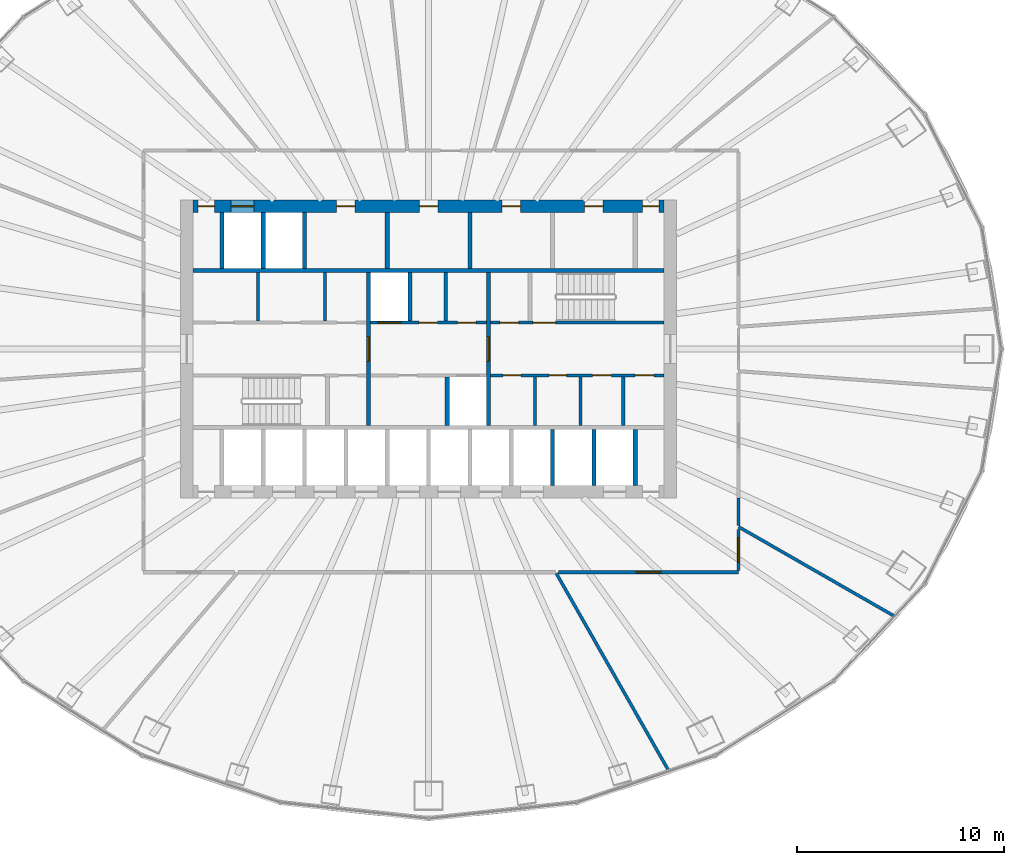
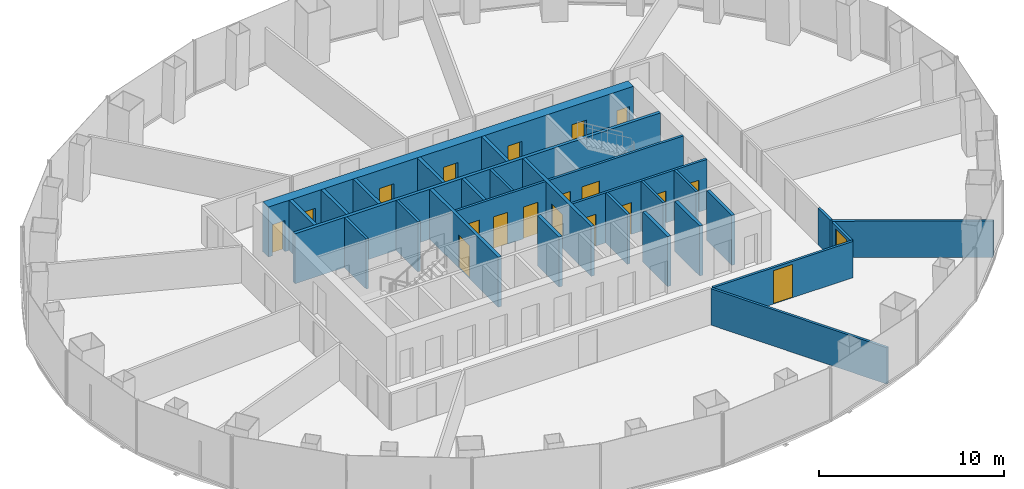
# One storey, part 9 of 11: 28 walls, 20 doors, 20 openings.
"""IFC4 building model written with IfcOpenShell, lengths in metres."""

import ifcopenshell
import ifcopenshell.guid

model = None  # the IFC model being written
_history = None  # IfcOwnerHistory: only IFC2X3 demands one
_inside = {}  # id of a spatial element -> (the spatial element, [elements in it])
_under = {}  # id of a project, library or spatial element -> (it, [spatial elements below it])
_declared = {}  # id of a project -> (the project, [libraries it declares])
_typed = {}  # id of a type object -> (the type object, [elements of that type])
_made_of = {}  # id of a material, layer set ... -> (it, [elements and type objects made of it])


def new_model(schema):
    """Start an empty IFC model of exactly this schema.

    Asked for "IFC4X3", IfcOpenShell would pick the latest addendum, in which some entities
    have other attributes; the version numbers below select the first issue.
    IFC2X3 requires an IfcOwnerHistory on every rooted entity: one is made here for all.
    """
    global model, _history
    if schema == "IFC4X3":
        model = ifcopenshell.file(schema_version=(4, 3, 0, 0))
    else:
        model = ifcopenshell.file(schema=schema)
    _inside.clear()
    _under.clear()
    _declared.clear()
    _typed.clear()
    _made_of.clear()
    _history = None
    if model.schema == "IFC2X3":
        org = make("IfcOrganization", Name="unknown")
        user = make(
            "IfcPersonAndOrganization",
            ThePerson=make("IfcPerson", FamilyName="unknown"),
            TheOrganization=org,
        )
        app = make(
            "IfcApplication",
            ApplicationDeveloper=org,
            Version="unknown",
            ApplicationFullName="unknown",
            ApplicationIdentifier="unknown",
        )
        _history = make(
            "IfcOwnerHistory",
            OwningUser=user,
            OwningApplication=app,
            ChangeAction="ADDED",
            CreationDate=0,
        )
    return model


def make(cls, **values):
    """One entity of the class cls with the attributes given. An attribute that is None is left unset."""
    return model.create_entity(
        cls, **{name: value for name, value in values.items() if value is not None}
    )


def rooted(cls, **values):
    """An entity with a GlobalId (a new one), such as an element, a storey or a relation."""
    return make(cls, GlobalId=ifcopenshell.guid.new(), OwnerHistory=_history, **values)


def si_unit(unit_type, name, prefix=None):
    """IfcSIUnit, for example si_unit("LENGTHUNIT", "METRE", prefix="MILLI")."""
    return make("IfcSIUnit", UnitType=unit_type, Prefix=prefix, Name=name)


def assignment(units):
    """IfcUnitAssignment: the units of a project."""
    return None if units is None else make("IfcUnitAssignment", Units=units)


def point(xyz):
    """IfcCartesianPoint."""
    return None if xyz is None else make("IfcCartesianPoint", Coordinates=xyz)


def direction(xyz):
    """IfcDirection."""
    return None if xyz is None else make("IfcDirection", DirectionRatios=xyz)


def frame(location, z_axis=None, x_axis=None):
    """IfcAxis2Placement3D, a coordinate frame: its origin and axes. An axis left out is left unset."""
    return make(
        "IfcAxis2Placement3D",
        Location=point(location),
        Axis=direction(z_axis),
        RefDirection=direction(x_axis),
    )


def frame_2d(location, x_axis=None):
    """IfcAxis2Placement2D, a coordinate frame in the plane: its origin and x axis."""
    return make(
        "IfcAxis2Placement2D", Location=point(location), RefDirection=direction(x_axis)
    )


def origin():
    """The frame at (0, 0, 0) with its axes left unset."""
    return frame((0.0, 0.0, 0.0))


def place(relative_to, where):
    """IfcLocalPlacement: puts the frame where relative to a parent placement (None: the world)."""
    return make(
        "IfcLocalPlacement", PlacementRelTo=relative_to, RelativePlacement=where
    )


def context(
    kind, dimensions, precision=None, world=None, true_north=None, identifier=None
):
    """IfcGeometricRepresentationContext, for example the 3D "Model" context."""
    return make(
        "IfcGeometricRepresentationContext",
        ContextIdentifier=identifier,
        ContextType=kind,
        CoordinateSpaceDimension=dimensions,
        Precision=precision,
        WorldCoordinateSystem=world,
        TrueNorth=true_north,
    )


def subcontext(parent, identifier, kind, view, scale=None):
    """IfcGeometricRepresentationSubContext, for example "Body" below "Model"."""
    return make(
        "IfcGeometricRepresentationSubContext",
        ContextIdentifier=identifier,
        ContextType=kind,
        ParentContext=parent,
        TargetScale=scale,
        TargetView=view,
    )


def project(units=None, contexts=None):
    """IfcProject with its units and contexts."""
    return rooted(
        "IfcProject",
        Name="project",
        RepresentationContexts=contexts,
        UnitsInContext=assignment(units),
    )


def spatial(cls, under=None, at=None, **own):
    """A site, building, storey or space (cls), placed at a placement, below another one or the project."""
    s = rooted(cls, ObjectPlacement=at, **own)
    if under is not None:
        _under.setdefault(under.id(), (under, []))[1].append(s)
    return s


def profile(cls, at=None, kind="AREA", **sizes):
    """A parametric profile (cls). Its sizes go by their IFC names, for example OverallWidth=200.0."""
    return make(cls, ProfileType=kind, Position=at, **sizes)


def rectangle(**sizes):
    """IfcRectangleProfileDef."""
    return profile("IfcRectangleProfileDef", **sizes)


def extrude(swept, where, along, depth):
    """IfcExtrudedAreaSolid: the profile swept, set in the frame where, extruded along a direction by depth."""
    return make(
        "IfcExtrudedAreaSolid",
        SweptArea=swept,
        Position=where,
        ExtrudedDirection=direction(along),
        Depth=depth,
    )


def shape(context_of_items, identifier, shape_type, items):
    """IfcShapeRepresentation: the items that make up one representation, for example the "Body"."""
    return make(
        "IfcShapeRepresentation",
        ContextOfItems=context_of_items,
        RepresentationIdentifier=identifier,
        RepresentationType=shape_type,
        Items=items,
    )


def material(Name=None, Category=None):
    """IfcMaterial."""
    return make("IfcMaterial", Name=Name, Category=Category)


def layer(
    of_material, thickness, ventilated=None, Name=None, Category=None, Priority=None
):
    """IfcMaterialLayer: one layer of a wall or slab, of a material (None: an air gap)."""
    return make(
        "IfcMaterialLayer",
        Material=of_material,
        LayerThickness=thickness,
        IsVentilated=ventilated,
        Name=Name,
        Category=Category,
        Priority=Priority,
    )


def layer_set(layers, Name=None):
    """IfcMaterialLayerSet."""
    return make("IfcMaterialLayerSet", MaterialLayers=layers, LayerSetName=Name)


def made_of(thing, what):
    """Note that an element or type object is made of a material, layer set ...; save() writes the relation."""
    if what is not None:
        _made_of.setdefault(what.id(), (what, []))[1].append(thing)
    return thing


def type_object(cls, material=None, **own):
    """A type object (cls), such as IfcWallType, which elements share."""
    return made_of(rooted(cls, **own), material)


def element(
    cls,
    number,
    at=None,
    inside=None,
    cuts=None,
    type_object=None,
    material=None,
    context=None,
    identifier="Body",
    shape_type=None,
    held_by="IfcProductDefinitionShape",
    body=None,
    shapes=None,
    **own,
):
    """One element of the class cls, such as IfcWall. Its Tag is "e" and its number.

    at: its placement. inside: the storey or other place that contains it. cuts: it is an
    opening in that element (IfcRelVoidsElement). A single representation is given by context,
    identifier, shape_type and body (its items); several are given by shapes. held_by: the class
    of the entity that holds the representations. save() writes the other relations.
    """
    e = rooted(cls, Tag="e%d" % number, ObjectPlacement=at, **own)
    if body is not None:
        shapes = [shape(context, identifier, shape_type, body)]
    if shapes is not None:
        e.Representation = make(held_by, Representations=shapes)
    if inside is not None:
        _inside.setdefault(inside.id(), (inside, []))[1].append(e)
    if cuts is not None:
        rooted(
            "IfcRelVoidsElement", RelatingBuildingElement=cuts, RelatedOpeningElement=e
        )
    if type_object is not None:
        _typed.setdefault(type_object.id(), (type_object, []))[1].append(e)
    return made_of(e, material)


def fill(opening, filler):
    """IfcRelFillsElement: the door or window that sits in an opening."""
    return rooted(
        "IfcRelFillsElement",
        RelatingOpeningElement=opening,
        RelatedBuildingElement=filler,
    )


def aggregate(whole, parts):
    """IfcRelAggregates: a whole, such as a stair, and the parts it consists of."""
    return rooted("IfcRelAggregates", RelatingObject=whole, RelatedObjects=parts)


def save(model, path):
    """Write the relations noted so far, then the file.

    IfcRelAggregates (storeys below a building ...), IfcRelContainedInSpatialStructure (elements
    in a storey), IfcRelDefinesByType, IfcRelAssociatesMaterial and IfcRelDeclares: one each for
    every whole, place, type object, material and project.
    """
    for whole, parts in _under.values():
        aggregate(whole, parts)
    for where, things in _inside.values():
        rooted(
            "IfcRelContainedInSpatialStructure",
            RelatedElements=things,
            RelatingStructure=where,
        )
    for kind, things in _typed.values():
        rooted("IfcRelDefinesByType", RelatedObjects=things, RelatingType=kind)
    for what, things in _made_of.values():
        rooted("IfcRelAssociatesMaterial", RelatedObjects=things, RelatingMaterial=what)
    for by, libraries in _declared.values():
        rooted("IfcRelDeclares", RelatingContext=by, RelatedDefinitions=libraries)
    model.write(path)


model = new_model("IFC4")

# Units and contexts
model_context = context("Model", 3, precision=1e-05, world=origin(), true_north=direction((0.0, 1.0)))
body_context = subcontext(model_context, "Body", "Model", "MODEL_VIEW")
ifc_project = project(units=[si_unit("LENGTHUNIT", "METRE"), si_unit("AREAUNIT", "SQUARE_METRE"), si_unit("VOLUMEUNIT", "CUBIC_METRE"), si_unit("PLANEANGLEUNIT", "RADIAN"), si_unit("MASSUNIT", "GRAM", prefix="KILO")], contexts=[model_context])

# Site, building, storey
site_placement = place(None, origin())
site = spatial("IfcSite", under=ifc_project, at=site_placement, CompositionType="ELEMENT")
building_placement = place(site_placement, origin())
building = spatial("IfcBuilding", under=site, at=building_placement, Name="Siaravel Broadcast Tower", CompositionType="ELEMENT")
storey_placement = place(building_placement, frame((0.0, 0.0, 51.89990234375)))
storey = spatial("IfcBuildingStorey", under=building, at=storey_placement, Name="L11", CompositionType="ELEMENT", Elevation=51.89990234375)

# Walls
ifc_material_1 = material(Name="Concrete blockwork", Category="masonry")
ifc_layer_1 = layer(ifc_material_1, 0.14990234375)
ifc_layer_set_1 = layer_set([ifc_layer_1], Name="Concrete blockwork")
wall_type_1 = type_object("IfcWallType", Name="Core partition 150", PredefinedType="PARTITIONING", material=ifc_layer_set_1)
for number, where, z_axis, x_axis, name in (
    (1, (-8.2470703125, 1.35009765625, 0.0), (0.0, 0.0, 1.0), (0.0, 1.0, 0.0), "L11 core partition PNW0"),
    (2, (-5.01904296875, 1.35009765625, 0.0), (0.0, 0.0, 1.0), (0.0, 1.0, 0.0), "L11 core partition PNW1"),
    (3, (5.14208984375, -3.699951171875, 0.0), (0.0, 0.0, 1.0), (0.0, 1.0, 0.0), "L11 core partition PSE0"),
    (4, (7.35888671875, -3.699951171875, 0.0), (0.0, 0.0, 1.0), (0.0, 1.0, 0.0), "L11 core partition PSE1"),
    (5, (9.4169921875, -3.699951171875, 0.0), (0.0, 0.0, 1.0), (0.0, 1.0, 0.0), "L11 core partition PSE2"),
    (6, (0.827392578125, 1.35009765625, 0.0), (0.0, 0.0, 1.0), (0.0, 1.0, 0.0), "L11 core partition PNM0"),
):
    element("IfcWall", number, at=place(storey_placement, frame(where, z_axis=z_axis, x_axis=x_axis)), inside=storey, type_object=wall_type_1, Name=name, PredefinedType="PARTITIONING", context=body_context, shape_type="SweptSolid", body=[
        extrude(rectangle(XDim=2.349853515625, YDim=0.14990234375, at=frame_2d((1.1748046875, 0.0))), origin(), (0.0, 0.0, 1.0), 3.300048828125),
    ])
ifc_layer_2 = layer(ifc_material_1, 0.199951171875)
ifc_layer_set_2 = layer_set([ifc_layer_2], Name="Concrete blockwork")
wall_type_2 = type_object("IfcWallType", Name="Core partition 200", PredefinedType="PARTITIONING", material=ifc_layer_set_2)
for number, where, z_axis, x_axis, name in (
    (7, (-2.0, 3.89990234375, 0.0), (0.0, 0.0, 1.0), (0.0, 1.0, 0.0), "L11 core partition PFN2"),
    (8, (2.0, 3.89990234375, 0.0), (0.0, 0.0, 1.0), (0.0, 1.0, 0.0), "L11 core partition PFN4"),
):
    element("IfcWall", number, at=place(storey_placement, frame(where, z_axis=z_axis, x_axis=x_axis)), inside=storey, type_object=wall_type_2, Name=name, PredefinedType="PARTITIONING", context=body_context, shape_type="SweptSolid", body=[
        extrude(rectangle(XDim=2.7001953125, YDim=0.199951171875, at=frame_2d((1.35009765625, 0.0))), origin(), (0.0, 0.0, 1.0), 3.300048828125),
    ])

# Wall, openings, doors
ifc_material_2 = material(Name="Concrete C60/75", Category="concrete")
ifc_layer_3 = layer(ifc_material_2, 0.60009765625)
ifc_layer_set_3 = layer_set([ifc_layer_3], Name="Concrete C60/75")
wall_type_3 = type_object("IfcWallType", Name="Core wall 600", PredefinedType="SHEAR", material=ifc_layer_set_3)
wall_1_placement = place(storey_placement, frame((-11.39990234375, 6.89990234375, 0.0), z_axis=(0.0, 0.0, 1.0), x_axis=(1.0, 0.0, 0.0)))
wall_1 = element("IfcWall", 9, at=wall_1_placement, inside=storey, type_object=wall_type_3, Name="L11 core wall ON", PredefinedType="SHEAR", context=body_context, shape_type="SweptSolid", body=[
    extrude(rectangle(XDim=22.7998046875, YDim=0.60009765625, at=frame_2d((11.39990234375, 0.0))), origin(), (0.0, 0.0, 1.0), 3.300048828125),
])
opening_1_placement = place(wall_1_placement, frame((1.85009765625, 0.0, 0.0)))
opening_1 = element("IfcOpeningElement", 10, at=opening_1_placement, cuts=wall_1, Name="Opening LD-SV2-L11", PredefinedType="OPENING", context=body_context, shape_type="SweptSolid", body=[
    extrude(rectangle(XDim=1.10009765625, YDim=2.199951171875, at=frame_2d((0.550048828125, 1.10009765625))), frame((0.0, 0.31005859375, 0.0), z_axis=(0.0, -1.0, 0.0), x_axis=(1.0, 0.0, 0.0)), (0.0, 0.0, 1.0), 0.6201171875),
])
opening_2_placement = place(wall_1_placement, frame((6.949951171875, 0.0, 0.0)))
opening_2 = element("IfcOpeningElement", 11, at=opening_2_placement, cuts=wall_1, Name="Opening L11-DFN2", PredefinedType="OPENING", context=body_context, shape_type="SweptSolid", body=[
    extrude(rectangle(XDim=0.89990234375, YDim=2.10009765625, at=frame_2d((0.449951171875, 1.050048828125))), frame((0.0, 0.31005859375, 0.0), z_axis=(0.0, -1.0, 0.0), x_axis=(1.0, 0.0, 0.0)), (0.0, 0.0, 1.0), 0.6201171875),
])
opening_3_placement = place(wall_1_placement, frame((10.949951171875, 0.0, 0.0)))
opening_3 = element("IfcOpeningElement", 12, at=opening_3_placement, cuts=wall_1, Name="Opening L11-DFN4", PredefinedType="OPENING", context=body_context, shape_type="SweptSolid", body=[
    extrude(rectangle(XDim=0.89990234375, YDim=2.10009765625, at=frame_2d((0.449951171875, 1.050048828125))), frame((0.0, 0.31005859375, 0.0), z_axis=(0.0, -1.0, 0.0), x_axis=(1.0, 0.0, 0.0)), (0.0, 0.0, 1.0), 0.6201171875),
])
opening_4_placement = place(wall_1_placement, frame((14.949951171875, 0.0, 0.0)))
opening_4 = element("IfcOpeningElement", 13, at=opening_4_placement, cuts=wall_1, Name="Opening L11-DFN6", PredefinedType="OPENING", context=body_context, shape_type="SweptSolid", body=[
    extrude(rectangle(XDim=0.89990234375, YDim=2.10009765625, at=frame_2d((0.449951171875, 1.050048828125))), frame((0.0, 0.31005859375, 0.0), z_axis=(0.0, -1.0, 0.0), x_axis=(1.0, 0.0, 0.0)), (0.0, 0.0, 1.0), 0.6201171875),
])
opening_5_placement = place(wall_1_placement, frame((18.949951171875, 0.0, 0.0)))
opening_5 = element("IfcOpeningElement", 14, at=opening_5_placement, cuts=wall_1, Name="Opening L11-DFN8", PredefinedType="OPENING", context=body_context, shape_type="SweptSolid", body=[
    extrude(rectangle(XDim=0.89990234375, YDim=2.10009765625, at=frame_2d((0.449951171875, 1.050048828125))), frame((0.0, 0.31005859375, 0.0), z_axis=(0.0, -1.0, 0.0), x_axis=(1.0, 0.0, 0.0)), (0.0, 0.0, 1.0), 0.6201171875),
])
opening_6_placement = place(wall_1_placement, frame((0.25, 0.0, 0.0)))
opening_6 = element("IfcOpeningElement", 15, at=opening_6_placement, cuts=wall_1, Name="Opening L11-DRNW", PredefinedType="OPENING", context=body_context, shape_type="SweptSolid", body=[
    extrude(rectangle(XDim=0.800048828125, YDim=2.050048828125, at=frame_2d((0.39990234375, 1.02490234375))), frame((0.0, 0.31005859375, 0.0), z_axis=(0.0, -1.0, 0.0), x_axis=(1.0, 0.0, 0.0)), (0.0, 0.0, 1.0), 0.6201171875),
])
opening_7_placement = place(wall_1_placement, frame((21.75, 0.0, 0.0)))
opening_7 = element("IfcOpeningElement", 16, at=opening_7_placement, cuts=wall_1, Name="Opening L11-DRNE", PredefinedType="OPENING", context=body_context, shape_type="SweptSolid", body=[
    extrude(rectangle(XDim=0.800048828125, YDim=2.050048828125, at=frame_2d((0.39990234375, 1.02490234375))), frame((0.0, 0.31005859375, 0.0), z_axis=(0.0, -1.0, 0.0), x_axis=(1.0, 0.0, 0.0)), (0.0, 0.0, 1.0), 0.6201171875),
])
ifc_material_3 = material(Name="Timber veneer", Category="wood")
door_type_1 = type_object("IfcDoorType", Name="Core room door 900", OperationType="SINGLE_SWING_LEFT", PredefinedType="DOOR", material=ifc_material_3)
door_1_placement = place(opening_2_placement, origin())
door_1 = element("IfcDoor", 17, at=door_1_placement, inside=storey, type_object=door_type_1, Name="L11 door DFN2", OperationType="SINGLE_SWING_LEFT", OverallHeight=2.10009765625, OverallWidth=0.89990234375, PredefinedType="DOOR", context=body_context, shape_type="SweptSolid", body=[
    extrude(rectangle(XDim=0.89990234375, YDim=2.10009765625, at=frame_2d((0.449951171875, 1.050048828125))), frame((0.0, 0.02490234375, 0.0), z_axis=(0.0, -1.0, 0.0), x_axis=(1.0, 0.0, 0.0)), (0.0, 0.0, 1.0), 0.050048828125),
])
fill(opening_2, door_1)
door_2_placement = place(opening_3_placement, origin())
door_2 = element("IfcDoor", 18, at=door_2_placement, inside=storey, type_object=door_type_1, Name="L11 door DFN4", OperationType="SINGLE_SWING_LEFT", OverallHeight=2.10009765625, OverallWidth=0.89990234375, PredefinedType="DOOR", context=body_context, shape_type="SweptSolid", body=[
    extrude(rectangle(XDim=0.89990234375, YDim=2.10009765625, at=frame_2d((0.449951171875, 1.050048828125))), frame((0.0, 0.02490234375, 0.0), z_axis=(0.0, -1.0, 0.0), x_axis=(1.0, 0.0, 0.0)), (0.0, 0.0, 1.0), 0.050048828125),
])
fill(opening_3, door_2)
door_3_placement = place(opening_4_placement, origin())
door_3 = element("IfcDoor", 19, at=door_3_placement, inside=storey, type_object=door_type_1, Name="L11 door DFN6", OperationType="SINGLE_SWING_LEFT", OverallHeight=2.10009765625, OverallWidth=0.89990234375, PredefinedType="DOOR", context=body_context, shape_type="SweptSolid", body=[
    extrude(rectangle(XDim=0.89990234375, YDim=2.10009765625, at=frame_2d((0.449951171875, 1.050048828125))), frame((0.0, 0.02490234375, 0.0), z_axis=(0.0, -1.0, 0.0), x_axis=(1.0, 0.0, 0.0)), (0.0, 0.0, 1.0), 0.050048828125),
])
fill(opening_4, door_3)
door_4_placement = place(opening_5_placement, origin())
door_4 = element("IfcDoor", 20, at=door_4_placement, inside=storey, type_object=door_type_1, Name="L11 door DFN8", OperationType="SINGLE_SWING_LEFT", OverallHeight=2.10009765625, OverallWidth=0.89990234375, PredefinedType="DOOR", context=body_context, shape_type="SweptSolid", body=[
    extrude(rectangle(XDim=0.89990234375, YDim=2.10009765625, at=frame_2d((0.449951171875, 1.050048828125))), frame((0.0, 0.02490234375, 0.0), z_axis=(0.0, -1.0, 0.0), x_axis=(1.0, 0.0, 0.0)), (0.0, 0.0, 1.0), 0.050048828125),
])
fill(opening_5, door_4)
ifc_material_4 = material(Name="Steel", Category="steel")
door_type_2 = type_object("IfcDoorType", Name="Riser door 800", OperationType="SINGLE_SWING_LEFT", PredefinedType="DOOR", material=ifc_material_4)
door_5_placement = place(opening_6_placement, origin())
door_5 = element("IfcDoor", 21, at=door_5_placement, inside=storey, type_object=door_type_2, Name="L11 door DRNW", OperationType="SINGLE_SWING_LEFT", OverallHeight=2.050048828125, OverallWidth=0.800048828125, PredefinedType="DOOR", context=body_context, shape_type="SweptSolid", body=[
    extrude(rectangle(XDim=0.800048828125, YDim=2.050048828125, at=frame_2d((0.39990234375, 1.02490234375))), frame((0.0, 0.02490234375, 0.0), z_axis=(0.0, -1.0, 0.0), x_axis=(1.0, 0.0, 0.0)), (0.0, 0.0, 1.0), 0.050048828125),
])
fill(opening_6, door_5)
door_6_placement = place(opening_7_placement, origin())
door_6 = element("IfcDoor", 22, at=door_6_placement, inside=storey, type_object=door_type_2, Name="L11 door DRNE", OperationType="SINGLE_SWING_LEFT", OverallHeight=2.050048828125, OverallWidth=0.800048828125, PredefinedType="DOOR", context=body_context, shape_type="SweptSolid", body=[
    extrude(rectangle(XDim=0.800048828125, YDim=2.050048828125, at=frame_2d((0.39990234375, 1.02490234375))), frame((0.0, 0.02490234375, 0.0), z_axis=(0.0, -1.0, 0.0), x_axis=(1.0, 0.0, 0.0)), (0.0, 0.0, 1.0), 0.050048828125),
])
fill(opening_7, door_6)
ifc_material_5 = material(Name="Stainless steel 316L", Category="steel")
door_type_3 = type_object("IfcDoorType", Name="Service lift landing door 1100", OperationType="DOUBLE_DOOR_SLIDING", PredefinedType="DOOR", material=ifc_material_5)
door_7_placement = place(opening_1_placement, origin())
door_7 = element("IfcDoor", 23, at=door_7_placement, inside=storey, type_object=door_type_3, Name="Landing door SV2 L11", OperationType="DOUBLE_DOOR_SLIDING", OverallHeight=2.199951171875, OverallWidth=1.10009765625, PredefinedType="DOOR", context=body_context, shape_type="SweptSolid", body=[
    extrude(rectangle(XDim=1.10009765625, YDim=2.199951171875, at=frame_2d((0.550048828125, 1.10009765625))), frame((0.0, 0.02490234375, 0.0), z_axis=(0.0, -1.0, 0.0), x_axis=(1.0, 0.0, 0.0)), (0.0, 0.0, 1.0), 0.050048828125),
])
fill(opening_1, door_7)

ifc_material_6 = material(Name="Gypsum board partition", Category="gypsum")
ifc_layer_4 = layer(ifc_material_6, 0.14990234375)
ifc_layer_set_4 = layer_set([ifc_layer_4], Name="Gypsum board partition")
wall_type_4 = type_object("IfcWallType", Name="Corridor wall 150", PredefinedType="PARTITIONING", material=ifc_layer_set_4)
wall_2_placement = place(storey_placement, frame((3.0, -1.27490234375, 0.0), z_axis=(0.0, 0.0, 1.0), x_axis=(1.0, 0.0, 0.0)))
wall_2 = element("IfcWall", 24, at=wall_2_placement, inside=storey, type_object=wall_type_4, Name="L11 core partition CSE", PredefinedType="PARTITIONING", context=body_context, shape_type="SweptSolid", body=[
    extrude(rectangle(XDim=8.39990234375, YDim=0.14990234375, at=frame_2d((4.199951171875, 0.0))), origin(), (0.0, 0.0, 1.0), 3.300048828125),
])
opening_8_placement = place(wall_2_placement, frame((0.6083984375, 0.0, 0.0)))
opening_8 = element("IfcOpeningElement", 25, at=opening_8_placement, cuts=wall_2, Name="Opening L11-DSE0", PredefinedType="OPENING", context=body_context, shape_type="SweptSolid", body=[
    extrude(rectangle(XDim=0.85009765625, YDim=2.10009765625, at=frame_2d((0.425048828125, 1.050048828125))), frame((0.0, 0.0849609375, 0.0), z_axis=(0.0, -1.0, 0.0), x_axis=(1.0, 0.0, 0.0)), (0.0, 0.0, 1.0), 0.169921875),
])
opening_9_placement = place(wall_2_placement, frame((2.825439453125, 0.0, 0.0)))
opening_9 = element("IfcOpeningElement", 26, at=opening_9_placement, cuts=wall_2, Name="Opening L11-DSE1", PredefinedType="OPENING", context=body_context, shape_type="SweptSolid", body=[
    extrude(rectangle(XDim=0.85009765625, YDim=2.10009765625, at=frame_2d((0.425048828125, 1.050048828125))), frame((0.0, 0.0849609375, 0.0), z_axis=(0.0, -1.0, 0.0), x_axis=(1.0, 0.0, 0.0)), (0.0, 0.0, 1.0), 0.169921875),
])
opening_10_placement = place(wall_2_placement, frame((4.93798828125, 0.0, 0.0)))
opening_10 = element("IfcOpeningElement", 27, at=opening_10_placement, cuts=wall_2, Name="Opening L11-DSE2", PredefinedType="OPENING", context=body_context, shape_type="SweptSolid", body=[
    extrude(rectangle(XDim=0.89990234375, YDim=2.10009765625, at=frame_2d((0.449951171875, 1.050048828125))), frame((0.0, 0.0849609375, 0.0), z_axis=(0.0, -1.0, 0.0), x_axis=(1.0, 0.0, 0.0)), (0.0, 0.0, 1.0), 0.169921875),
])
opening_11_placement = place(wall_2_placement, frame((6.99609375, 0.0, 0.0)))
opening_11 = element("IfcOpeningElement", 28, at=opening_11_placement, cuts=wall_2, Name="Opening L11-DSE3", PredefinedType="OPENING", context=body_context, shape_type="SweptSolid", body=[
    extrude(rectangle(XDim=0.89990234375, YDim=2.10009765625, at=frame_2d((0.449951171875, 1.050048828125))), frame((0.0, 0.0849609375, 0.0), z_axis=(0.0, -1.0, 0.0), x_axis=(1.0, 0.0, 0.0)), (0.0, 0.0, 1.0), 0.169921875),
])
door_8_placement = place(opening_10_placement, origin())
door_8 = element("IfcDoor", 29, at=door_8_placement, inside=storey, type_object=door_type_1, Name="L11 door DSE2", OperationType="SINGLE_SWING_LEFT", OverallHeight=2.10009765625, OverallWidth=0.89990234375, PredefinedType="DOOR", context=body_context, shape_type="SweptSolid", body=[
    extrude(rectangle(XDim=0.89990234375, YDim=2.10009765625, at=frame_2d((0.449951171875, 1.050048828125))), frame((0.0, 0.02490234375, 0.0), z_axis=(0.0, -1.0, 0.0), x_axis=(1.0, 0.0, 0.0)), (0.0, 0.0, 1.0), 0.050048828125),
])
fill(opening_10, door_8)
door_9_placement = place(opening_11_placement, origin())
door_9 = element("IfcDoor", 30, at=door_9_placement, inside=storey, type_object=door_type_1, Name="L11 door DSE3", OperationType="SINGLE_SWING_LEFT", OverallHeight=2.10009765625, OverallWidth=0.89990234375, PredefinedType="DOOR", context=body_context, shape_type="SweptSolid", body=[
    extrude(rectangle(XDim=0.89990234375, YDim=2.10009765625, at=frame_2d((0.449951171875, 1.050048828125))), frame((0.0, 0.02490234375, 0.0), z_axis=(0.0, -1.0, 0.0), x_axis=(1.0, 0.0, 0.0)), (0.0, 0.0, 1.0), 0.050048828125),
])
fill(opening_11, door_9)
door_type_4 = type_object("IfcDoorType", Name="Core toilet door 850", OperationType="SINGLE_SWING_LEFT", PredefinedType="DOOR", material=ifc_material_3)
door_10_placement = place(opening_8_placement, origin())
door_10 = element("IfcDoor", 31, at=door_10_placement, inside=storey, type_object=door_type_4, Name="L11 door DSE0", OperationType="SINGLE_SWING_LEFT", OverallHeight=2.10009765625, OverallWidth=0.85009765625, PredefinedType="DOOR", context=body_context, shape_type="SweptSolid", body=[
    extrude(rectangle(XDim=0.85009765625, YDim=2.10009765625, at=frame_2d((0.425048828125, 1.050048828125))), frame((0.0, 0.02490234375, 0.0), z_axis=(0.0, -1.0, 0.0), x_axis=(1.0, 0.0, 0.0)), (0.0, 0.0, 1.0), 0.050048828125),
])
fill(opening_8, door_10)
door_11_placement = place(opening_9_placement, origin())
door_11 = element("IfcDoor", 32, at=door_11_placement, inside=storey, type_object=door_type_4, Name="L11 door DSE1", OperationType="SINGLE_SWING_LEFT", OverallHeight=2.10009765625, OverallWidth=0.85009765625, PredefinedType="DOOR", context=body_context, shape_type="SweptSolid", body=[
    extrude(rectangle(XDim=0.85009765625, YDim=2.10009765625, at=frame_2d((0.425048828125, 1.050048828125))), frame((0.0, 0.02490234375, 0.0), z_axis=(0.0, -1.0, 0.0), x_axis=(1.0, 0.0, 0.0)), (0.0, 0.0, 1.0), 0.050048828125),
])
fill(opening_9, door_11)

# Wall, opening, door
wall_3_placement = place(storey_placement, frame((6.279296875, -10.800048828125, 0.0), z_axis=(0.0, 0.0, 1.0), x_axis=(1.0, 0.0, 0.0)))
wall_3 = element("IfcWall", 33, at=wall_3_placement, inside=storey, type_object=wall_type_4, Name="L11 partition 13", PredefinedType="PARTITIONING", context=body_context, shape_type="SweptSolid", body=[
    extrude(rectangle(XDim=8.720703125, YDim=0.14990234375, at=frame_2d((4.3603515625, 0.0))), origin(), (0.0, 0.0, 1.0), 2.400146484375),
])
opening_12_placement = place(wall_3_placement, frame((3.760498046875, 0.0, 0.0)))
opening_12 = element("IfcOpeningElement", 34, at=opening_12_placement, cuts=wall_3, Name="Opening L11-013", PredefinedType="OPENING", context=body_context, shape_type="SweptSolid", body=[
    extrude(rectangle(XDim=1.199951171875, YDim=2.199951171875, at=frame_2d((0.60009765625, 1.10009765625))), frame((0.0, 0.0849609375, 0.0), z_axis=(0.0, -1.0, 0.0), x_axis=(1.0, 0.0, 0.0)), (0.0, 0.0, 1.0), 0.169921875),
])
door_type_5 = type_object("IfcDoorType", Name="Office double door 1200", OperationType="DOUBLE_DOOR_SINGLE_SWING", PredefinedType="DOOR", material=ifc_material_3)
door_12_placement = place(opening_12_placement, origin())
door_12 = element("IfcDoor", 35, at=door_12_placement, inside=storey, type_object=door_type_5, Name="L11 door to Open plan newsroom", OperationType="DOUBLE_DOOR_SINGLE_SWING", OverallHeight=2.199951171875, OverallWidth=1.199951171875, PredefinedType="DOOR", context=body_context, shape_type="SweptSolid", body=[
    extrude(rectangle(XDim=1.199951171875, YDim=2.199951171875, at=frame_2d((0.60009765625, 1.10009765625))), frame((0.0, 0.02490234375, 0.0), z_axis=(0.0, -1.0, 0.0), x_axis=(1.0, 0.0, 0.0)), (0.0, 0.0, 1.0), 0.050048828125),
])
fill(opening_12, door_12)

wall_4_placement = place(storey_placement, frame((15.0, -10.722900390625, 0.0), z_axis=(0.0, 0.0, 1.0), x_axis=(0.0, 1.0, 0.0)))
wall_4 = element("IfcWall", 36, at=wall_4_placement, inside=storey, type_object=wall_type_4, Name="L11 partition 28", PredefinedType="PARTITIONING", context=body_context, shape_type="SweptSolid", body=[
    extrude(rectangle(XDim=1.98828125, YDim=0.14990234375, at=frame_2d((0.994140625, 0.0))), origin(), (0.0, 0.0, 1.0), 2.400146484375),
])
opening_13_placement = place(wall_4_placement, frame((0.394287109375, 0.0, 0.0)))
opening_13 = element("IfcOpeningElement", 37, at=opening_13_placement, cuts=wall_4, Name="Opening L11-014", PredefinedType="OPENING", context=body_context, shape_type="SweptSolid", body=[
    extrude(rectangle(XDim=1.199951171875, YDim=2.199951171875, at=frame_2d((0.60009765625, 1.10009765625))), frame((0.0, 0.0849609375, 0.0), z_axis=(0.0, -1.0, 0.0), x_axis=(1.0, 0.0, 0.0)), (0.0, 0.0, 1.0), 0.169921875),
])
door_13_placement = place(opening_13_placement, origin())
door_13 = element("IfcDoor", 38, at=door_13_placement, inside=storey, type_object=door_type_5, Name="L11 door to Open plan newsroom", OperationType="DOUBLE_DOOR_SINGLE_SWING", OverallHeight=2.199951171875, OverallWidth=1.199951171875, PredefinedType="DOOR", context=body_context, shape_type="SweptSolid", body=[
    extrude(rectangle(XDim=1.199951171875, YDim=2.199951171875, at=frame_2d((0.60009765625, 1.10009765625))), frame((0.0, 0.02490234375, 0.0), z_axis=(0.0, -1.0, 0.0), x_axis=(1.0, 0.0, 0.0)), (0.0, 0.0, 1.0), 0.050048828125),
])
fill(opening_13, door_13)

# Walls
wall_5_placement = place(storey_placement, frame((15.0, -8.5361328125, 0.0), z_axis=(0.0, 0.0, 1.0), x_axis=(0.0, 1.0, 0.0)))
element("IfcWall", 39, at=wall_5_placement, inside=storey, type_object=wall_type_4, Name="L11 partition 32", PredefinedType="PARTITIONING", context=body_context, shape_type="SweptSolid", body=[
    extrude(rectangle(XDim=1.3232421875, YDim=0.14990234375, at=frame_2d((0.66162109375, 0.0))), origin(), (0.0, 0.0, 1.0), 2.400146484375),
])
ifc_layer_5 = layer(ifc_material_6, 0.14990234375)
ifc_layer_set_5 = layer_set([ifc_layer_5], Name="Gypsum board partition")
wall_type_5 = type_object("IfcWallType", Name="Room partition 150", PredefinedType="PARTITIONING", material=ifc_layer_set_5)
wall_6_placement = place(storey_placement, frame((11.638427734375, -20.444091796875, 0.0), z_axis=(0.0, 0.0, 1.0), x_axis=(-0.494736706, 0.869042917, 0.0)))
element("IfcWall", 40, at=wall_6_placement, inside=storey, type_object=wall_type_5, Name="L11 partition 10", PredefinedType="PARTITIONING", context=body_context, shape_type="SweptSolid", body=[
    extrude(rectangle(XDim=11.0302734375, YDim=0.14990234375, at=frame_2d((5.51513671875, 0.0))), origin(), (0.0, 0.0, 1.0), 2.400146484375),
])
wall_7_placement = place(storey_placement, frame((22.57080078125, -12.9453125, 0.0), z_axis=(0.0, 0.0, 1.0), x_axis=(-0.867458802, 0.497509022, 0.0)))
element("IfcWall", 41, at=wall_7_placement, inside=storey, type_object=wall_type_5, Name="L11 partition 14", PredefinedType="PARTITIONING", context=body_context, shape_type="SweptSolid", body=[
    extrude(rectangle(XDim=8.7275390625, YDim=0.14990234375, at=frame_2d((4.36376953125, 0.0))), origin(), (0.0, 0.0, 1.0), 2.400146484375),
])

# Wall, openings, doors
ifc_layer_6 = layer(ifc_material_2, 0.14990234375)
ifc_layer_set_6 = layer_set([ifc_layer_6], Name="Concrete C60/75")
wall_type_6 = type_object("IfcWallType", Name="Shaft wall 150", PredefinedType="SHEAR", material=ifc_layer_set_6)
wall_8_placement = place(storey_placement, frame((-2.800048828125, 1.27490234375, 0.0), z_axis=(0.0, 0.0, 1.0), x_axis=(1.0, 0.0, 0.0)))
wall_8 = element("IfcWall", 42, at=wall_8_placement, inside=storey, type_object=wall_type_6, Name="L11 core wall CNM", PredefinedType="SHEAR", context=body_context, shape_type="SweptSolid", body=[
    extrude(rectangle(XDim=5.60009765625, YDim=0.14990234375, at=frame_2d((2.800048828125, 0.0))), origin(), (0.0, 0.0, 1.0), 3.300048828125),
])
opening_14_placement = place(wall_8_placement, frame((0.35009765625, 0.0, 0.0)))
opening_14 = element("IfcOpeningElement", 43, at=opening_14_placement, cuts=wall_8, Name="Opening LD-FL1-L11", PredefinedType="OPENING", context=body_context, shape_type="SweptSolid", body=[
    extrude(rectangle(XDim=1.10009765625, YDim=2.199951171875, at=frame_2d((0.550048828125, 1.10009765625))), frame((0.0, 0.0849609375, 0.0), z_axis=(0.0, -1.0, 0.0), x_axis=(1.0, 0.0, 0.0)), (0.0, 0.0, 1.0), 0.169921875),
])
opening_15_placement = place(wall_8_placement, frame((2.326171875, 0.0, 0.0)))
opening_15 = element("IfcOpeningElement", 44, at=opening_15_placement, cuts=wall_8, Name="Opening L11-DNM0", PredefinedType="OPENING", context=body_context, shape_type="SweptSolid", body=[
    extrude(rectangle(XDim=0.89990234375, YDim=2.10009765625, at=frame_2d((0.449951171875, 1.050048828125))), frame((0.0, 0.0849609375, 0.0), z_axis=(0.0, -1.0, 0.0), x_axis=(1.0, 0.0, 0.0)), (0.0, 0.0, 1.0), 0.169921875),
])
opening_16_placement = place(wall_8_placement, frame((4.201171875, 0.0, 0.0)))
opening_16 = element("IfcOpeningElement", 45, at=opening_16_placement, cuts=wall_8, Name="Opening L11-DNM1", PredefinedType="OPENING", context=body_context, shape_type="SweptSolid", body=[
    extrude(rectangle(XDim=0.89990234375, YDim=2.10009765625, at=frame_2d((0.449951171875, 1.050048828125))), frame((0.0, 0.0849609375, 0.0), z_axis=(0.0, -1.0, 0.0), x_axis=(1.0, 0.0, 0.0)), (0.0, 0.0, 1.0), 0.169921875),
])
door_14_placement = place(opening_15_placement, origin())
door_14 = element("IfcDoor", 46, at=door_14_placement, inside=storey, type_object=door_type_1, Name="L11 door DNM0", OperationType="SINGLE_SWING_LEFT", OverallHeight=2.10009765625, OverallWidth=0.89990234375, PredefinedType="DOOR", context=body_context, shape_type="SweptSolid", body=[
    extrude(rectangle(XDim=0.89990234375, YDim=2.10009765625, at=frame_2d((0.449951171875, 1.050048828125))), frame((0.0, 0.02490234375, 0.0), z_axis=(0.0, -1.0, 0.0), x_axis=(1.0, 0.0, 0.0)), (0.0, 0.0, 1.0), 0.050048828125),
])
fill(opening_15, door_14)
door_15_placement = place(opening_16_placement, origin())
door_15 = element("IfcDoor", 47, at=door_15_placement, inside=storey, type_object=door_type_1, Name="L11 door DNM1", OperationType="SINGLE_SWING_LEFT", OverallHeight=2.10009765625, OverallWidth=0.89990234375, PredefinedType="DOOR", context=body_context, shape_type="SweptSolid", body=[
    extrude(rectangle(XDim=0.89990234375, YDim=2.10009765625, at=frame_2d((0.449951171875, 1.050048828125))), frame((0.0, 0.02490234375, 0.0), z_axis=(0.0, -1.0, 0.0), x_axis=(1.0, 0.0, 0.0)), (0.0, 0.0, 1.0), 0.050048828125),
])
fill(opening_16, door_15)
door_type_6 = type_object("IfcDoorType", Name="Firefighting lift landing door 1100", OperationType="DOUBLE_DOOR_SLIDING", PredefinedType="DOOR", material=ifc_material_5)
door_16_placement = place(opening_14_placement, origin())
door_16 = element("IfcDoor", 48, at=door_16_placement, inside=storey, type_object=door_type_6, Name="Landing door FL1 L11", OperationType="DOUBLE_DOOR_SLIDING", OverallHeight=2.199951171875, OverallWidth=1.10009765625, PredefinedType="DOOR", context=body_context, shape_type="SweptSolid", body=[
    extrude(rectangle(XDim=1.10009765625, YDim=2.199951171875, at=frame_2d((0.550048828125, 1.10009765625))), frame((0.0, 0.02490234375, 0.0), z_axis=(0.0, -1.0, 0.0), x_axis=(1.0, 0.0, 0.0)), (0.0, 0.0, 1.0), 0.050048828125),
])
fill(opening_14, door_16)

wall_9_placement = place(storey_placement, frame((3.0, 1.27490234375, 0.0), z_axis=(0.0, 0.0, 1.0), x_axis=(1.0, 0.0, 0.0)))
wall_9 = element("IfcWall", 49, at=wall_9_placement, inside=storey, type_object=wall_type_6, Name="L11 core wall CNE", PredefinedType="SHEAR", context=body_context, shape_type="SweptSolid", body=[
    extrude(rectangle(XDim=8.39990234375, YDim=0.14990234375, at=frame_2d((4.199951171875, 0.0))), origin(), (0.0, 0.0, 1.0), 3.300048828125),
])
opening_17_placement = place(wall_9_placement, frame((2.050048828125, 0.0, 0.0)))
opening_17 = element("IfcOpeningElement", 50, at=opening_17_placement, cuts=wall_9, Name="Opening L11-DS-2", PredefinedType="OPENING", context=body_context, shape_type="SweptSolid", body=[
    extrude(rectangle(XDim=1.10009765625, YDim=2.14990234375, at=frame_2d((0.550048828125, 1.074951171875))), frame((0.0, 0.0849609375, 0.0), z_axis=(0.0, -1.0, 0.0), x_axis=(1.0, 0.0, 0.0)), (0.0, 0.0, 1.0), 0.169921875),
])
opening_18_placement = place(wall_9_placement, frame((0.449951171875, 0.0, 0.0)))
opening_18 = element("IfcOpeningElement", 51, at=opening_18_placement, cuts=wall_9, Name="Opening L11-DNE0", PredefinedType="OPENING", context=body_context, shape_type="SweptSolid", body=[
    extrude(rectangle(XDim=0.89990234375, YDim=2.10009765625, at=frame_2d((0.449951171875, 1.050048828125))), frame((0.0, 0.0849609375, 0.0), z_axis=(0.0, -1.0, 0.0), x_axis=(1.0, 0.0, 0.0)), (0.0, 0.0, 1.0), 0.169921875),
])
door_17_placement = place(opening_18_placement, origin())
door_17 = element("IfcDoor", 52, at=door_17_placement, inside=storey, type_object=door_type_1, Name="L11 door DNE0", OperationType="SINGLE_SWING_LEFT", OverallHeight=2.10009765625, OverallWidth=0.89990234375, PredefinedType="DOOR", context=body_context, shape_type="SweptSolid", body=[
    extrude(rectangle(XDim=0.89990234375, YDim=2.10009765625, at=frame_2d((0.449951171875, 1.050048828125))), frame((0.0, 0.02490234375, 0.0), z_axis=(0.0, -1.0, 0.0), x_axis=(1.0, 0.0, 0.0)), (0.0, 0.0, 1.0), 0.050048828125),
])
fill(opening_18, door_17)
door_type_7 = type_object("IfcDoorType", Name="Stair door 1100", OperationType="SINGLE_SWING_LEFT", PredefinedType="DOOR", material=ifc_material_4)
door_18_placement = place(opening_17_placement, origin())
door_18 = element("IfcDoor", 53, at=door_18_placement, inside=storey, type_object=door_type_7, Name="L11 door DS-2", OperationType="SINGLE_SWING_LEFT", OverallHeight=2.14990234375, OverallWidth=1.10009765625, PredefinedType="DOOR", context=body_context, shape_type="SweptSolid", body=[
    extrude(rectangle(XDim=1.10009765625, YDim=2.14990234375, at=frame_2d((0.550048828125, 1.074951171875))), frame((0.0, 0.02490234375, 0.0), z_axis=(0.0, -1.0, 0.0), x_axis=(1.0, 0.0, 0.0)), (0.0, 0.0, 1.0), 0.050048828125),
])
fill(opening_17, door_18)

# Walls
ifc_layer_7 = layer(ifc_material_2, 0.199951171875)
ifc_layer_set_7 = layer_set([ifc_layer_7], Name="Concrete C60/75")
wall_type_7 = type_object("IfcWallType", Name="Shaft wall 200", PredefinedType="SHEAR", material=ifc_layer_set_7)
wall_10_placement = place(storey_placement, frame((-11.39990234375, 3.800048828125, 0.0), z_axis=(0.0, 0.0, 1.0), x_axis=(1.0, 0.0, 0.0)))
element("IfcWall", 54, at=wall_10_placement, inside=storey, type_object=wall_type_7, Name="L11 core wall BN", PredefinedType="SHEAR", context=body_context, shape_type="SweptSolid", body=[
    extrude(rectangle(XDim=22.7998046875, YDim=0.199951171875, at=frame_2d((11.39990234375, 0.0))), origin(), (0.0, 0.0, 1.0), 3.300048828125),
])
for number, where, z_axis, x_axis, name in (
    (55, (6.0, -6.60009765625, 0.0), (0.0, 0.0, 1.0), (0.0, 1.0, 0.0), "L11 core wall SWS8"),
    (56, (8.0, -6.60009765625, 0.0), (0.0, 0.0, 1.0), (0.0, 1.0, 0.0), "L11 core wall SWS9"),
    (57, (10.0, -6.60009765625, 0.0), (0.0, 0.0, 1.0), (0.0, 1.0, 0.0), "L11 core wall SWS10"),
    (58, (-10.0, 3.89990234375, 0.0), (0.0, 0.0, 1.0), (0.0, 1.0, 0.0), "L11 core wall SWN0"),
    (59, (-8.0, 3.89990234375, 0.0), (0.0, 0.0, 1.0), (0.0, 1.0, 0.0), "L11 core wall SWN1"),
    (60, (-6.0, 3.89990234375, 0.0), (0.0, 0.0, 1.0), (0.0, 1.0, 0.0), "L11 core wall SWN2"),
):
    element("IfcWall", number, at=place(storey_placement, frame(where, z_axis=z_axis, x_axis=x_axis)), inside=storey, type_object=wall_type_7, Name=name, PredefinedType="SHEAR", context=body_context, shape_type="SweptSolid", body=[
        extrude(rectangle(XDim=2.7001953125, YDim=0.199951171875, at=frame_2d((1.35009765625, 0.0))), origin(), (0.0, 0.0, 1.0), 3.300048828125),
    ])

# Wall, opening, door
wall_11_placement = place(storey_placement, frame((-2.89990234375, -3.699951171875, 0.0), z_axis=(0.0, 0.0, 1.0), x_axis=(0.0, 1.0, 0.0)))
wall_11 = element("IfcWall", 61, at=wall_11_placement, inside=storey, type_object=wall_type_7, Name="L11 core wall LW", PredefinedType="SHEAR", context=body_context, shape_type="SweptSolid", body=[
    extrude(rectangle(XDim=7.39990234375, YDim=0.199951171875, at=frame_2d((3.699951171875, 0.0))), origin(), (0.0, 0.0, 1.0), 3.300048828125),
])
opening_19_placement = place(wall_11_placement, frame((3.10009765625, 0.0, 0.0)))
opening_19 = element("IfcOpeningElement", 62, at=opening_19_placement, cuts=wall_11, Name="Opening L11-DL-W", PredefinedType="OPENING", context=body_context, shape_type="SweptSolid", body=[
    extrude(rectangle(XDim=1.199951171875, YDim=2.199951171875, at=frame_2d((0.60009765625, 1.10009765625))), frame((0.0, 0.10986328125, 0.0), z_axis=(0.0, -1.0, 0.0), x_axis=(1.0, 0.0, 0.0)), (0.0, 0.0, 1.0), 0.219970703125),
])
door_type_8 = type_object("IfcDoorType", Name="Firefighting lobby door 1200", OperationType="SINGLE_SWING_LEFT", PredefinedType="DOOR", material=ifc_material_4)
door_19_placement = place(opening_19_placement, origin())
door_19 = element("IfcDoor", 63, at=door_19_placement, inside=storey, type_object=door_type_8, Name="L11 door DL-W", OperationType="SINGLE_SWING_LEFT", OverallHeight=2.199951171875, OverallWidth=1.199951171875, PredefinedType="DOOR", context=body_context, shape_type="SweptSolid", body=[
    extrude(rectangle(XDim=1.199951171875, YDim=2.199951171875, at=frame_2d((0.60009765625, 1.10009765625))), frame((0.0, 0.02490234375, 0.0), z_axis=(0.0, -1.0, 0.0), x_axis=(1.0, 0.0, 0.0)), (0.0, 0.0, 1.0), 0.050048828125),
])
fill(opening_19, door_19)

wall_12_placement = place(storey_placement, frame((2.89990234375, -3.699951171875, 0.0), z_axis=(0.0, 0.0, 1.0), x_axis=(0.0, 1.0, 0.0)))
wall_12 = element("IfcWall", 64, at=wall_12_placement, inside=storey, type_object=wall_type_7, Name="L11 core wall LE", PredefinedType="SHEAR", context=body_context, shape_type="SweptSolid", body=[
    extrude(rectangle(XDim=7.39990234375, YDim=0.199951171875, at=frame_2d((3.699951171875, 0.0))), origin(), (0.0, 0.0, 1.0), 3.300048828125),
])
opening_20_placement = place(wall_12_placement, frame((3.10009765625, 0.0, 0.0)))
opening_20 = element("IfcOpeningElement", 65, at=opening_20_placement, cuts=wall_12, Name="Opening L11-DL-E", PredefinedType="OPENING", context=body_context, shape_type="SweptSolid", body=[
    extrude(rectangle(XDim=1.199951171875, YDim=2.199951171875, at=frame_2d((0.60009765625, 1.10009765625))), frame((0.0, 0.10986328125, 0.0), z_axis=(0.0, -1.0, 0.0), x_axis=(1.0, 0.0, 0.0)), (0.0, 0.0, 1.0), 0.219970703125),
])
door_20_placement = place(opening_20_placement, origin())
door_20 = element("IfcDoor", 66, at=door_20_placement, inside=storey, type_object=door_type_8, Name="L11 door DL-E", OperationType="SINGLE_SWING_LEFT", OverallHeight=2.199951171875, OverallWidth=1.199951171875, PredefinedType="DOOR", context=body_context, shape_type="SweptSolid", body=[
    extrude(rectangle(XDim=1.199951171875, YDim=2.199951171875, at=frame_2d((0.60009765625, 1.10009765625))), frame((0.0, 0.02490234375, 0.0), z_axis=(0.0, -1.0, 0.0), x_axis=(1.0, 0.0, 0.0)), (0.0, 0.0, 1.0), 0.050048828125),
])
fill(opening_20, door_20)

# Walls
for number, where, z_axis, x_axis, name in (
    (67, (-0.89990234375, 1.35009765625, 0.0), (0.0, 0.0, 1.0), (0.0, 1.0, 0.0), "L11 core wall FF1E"),
    (68, (0.89990234375, -3.699951171875, 0.0), (0.0, 0.0, 1.0), (0.0, 1.0, 0.0), "L11 core wall FF2W"),
):
    element("IfcWall", number, at=place(storey_placement, frame(where, z_axis=z_axis, x_axis=x_axis)), inside=storey, type_object=wall_type_7, Name=name, PredefinedType="SHEAR", context=body_context, shape_type="SweptSolid", body=[
        extrude(rectangle(XDim=2.349853515625, YDim=0.199951171875, at=frame_2d((1.1748046875, 0.0))), origin(), (0.0, 0.0, 1.0), 3.300048828125),
    ])

save(model, "model.ifc")
